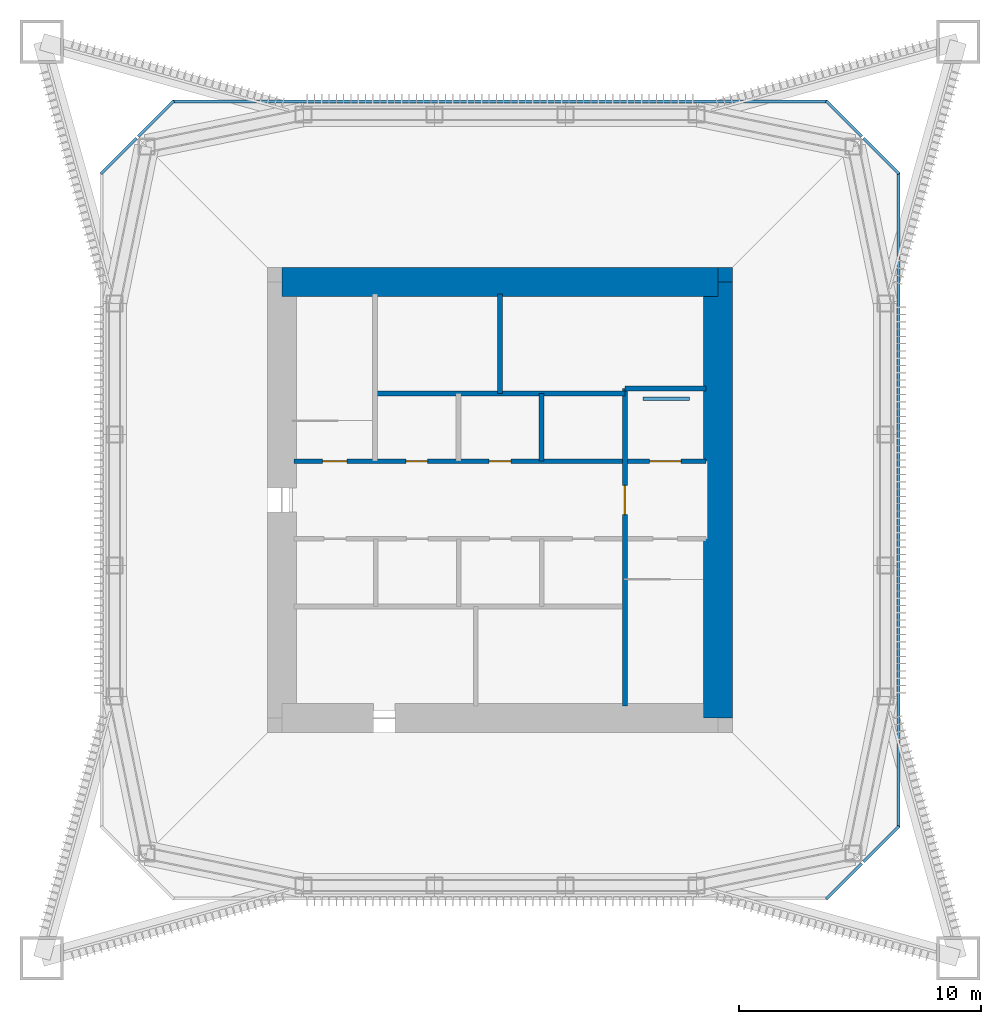
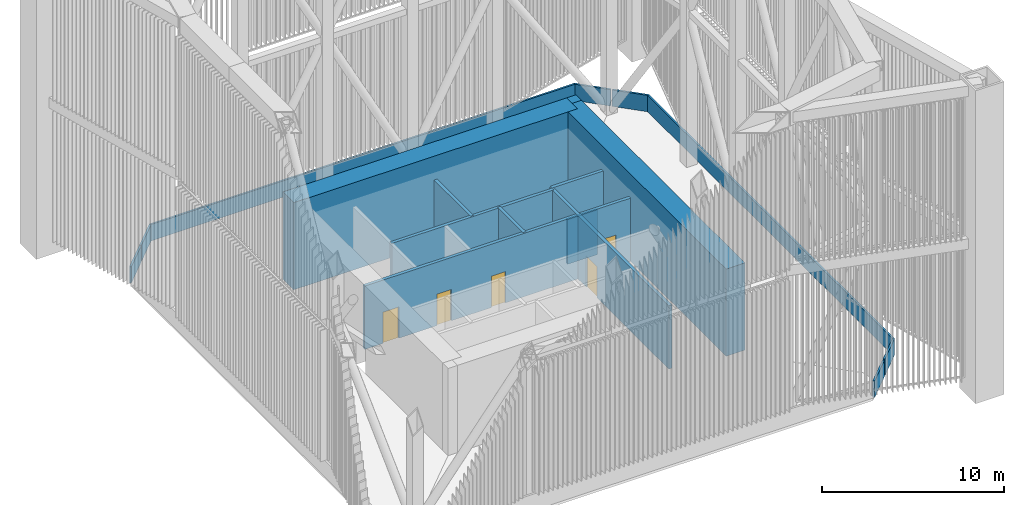
# One storey, part 3 of 13: 17 walls, 5 doors, 1 discrete accessory, 5 openings.
"""IFC4 building model written with IfcOpenShell, lengths in metres."""

from ifc_helpers import new_model, si_unit, direction, frame, frame_2d, origin, origin_2d, place, context, subcontext, project, spatial, rectangle, extrude, material, layer, layer_set, constituent, constituent_set, type_object, element, fill, save


model = new_model("IFC4")

# Units and contexts
model_context = context("Model", 3, precision=1e-05, world=origin(), true_north=direction((0.0, 1.0)))
body_context = subcontext(model_context, "Body", "Model", "MODEL_VIEW")
ifc_project = project(units=[si_unit("LENGTHUNIT", "METRE"), si_unit("AREAUNIT", "SQUARE_METRE"), si_unit("VOLUMEUNIT", "CUBIC_METRE"), si_unit("PLANEANGLEUNIT", "RADIAN"), si_unit("MASSUNIT", "GRAM", prefix="KILO")], contexts=[model_context])

# Site, building, storey
site_placement = place(None, origin())
site = spatial("IfcSite", under=ifc_project, at=site_placement, CompositionType="ELEMENT")
building_placement = place(site_placement, origin())
building = spatial("IfcBuilding", under=site, at=building_placement, Name="Iwan Alto Co-Living Towers", CompositionType="ELEMENT")
storey_placement = place(building_placement, frame((0.0, 0.0, 267.5)))
storey = spatial("IfcBuildingStorey", under=building, at=storey_placement, Name="RF", CompositionType="ELEMENT", Elevation=267.5)

# Walls
ifc_material_1 = material(Name="Concrete f'c 30 MPa", Category="concrete")
ifc_constituent_1 = constituent(ifc_material_1, Name="Upstand", Category="LoadBearing")
ifc_material_2 = material(Name="Aluminium 6063-T6 bronze anodised", Category="aluminium")
ifc_constituent_2 = constituent(ifc_material_2, Name="Coping", Category="Finish")
ifc_constituent_set = constituent_set(constituents=[ifc_constituent_1, ifc_constituent_2], Name="ROOF PARAPET 120")
wall_type_1 = type_object("IfcWallType", Name="ROOF PARAPET 120", PredefinedType="PARAPET", material=ifc_constituent_set)
for number, where, z_axis, x_axis, name in (
    (1, (13.45751953125, -16.45751953125, 0.0), (0.0, 0.0, 1.0), (0.707106781187, 0.707106781187, 0.0), "Roof parapet RF"),
    (2, (14.99072265625, -14.92431640625, 0.0), (0.0, 0.0, 1.0), (0.707106781187, 0.707106781187, 0.0), "Roof parapet RF"),
):
    element("IfcWall", number, at=place(storey_placement, frame(where, z_axis=z_axis, x_axis=x_axis)), inside=storey, type_object=wall_type_1, Name=name, PredefinedType="PARAPET", context=body_context, shape_type="SweptSolid", body=[
        extrude(rectangle(XDim=2.074462890625, YDim=0.1201171875, at=frame_2d((1.037109375, 0.0))), origin(), (0.0, 0.0, 1.0), 1.10009765625),
    ])
wall_1_placement = place(storey_placement, frame((16.43994140625, -13.5, 0.0), z_axis=(0.0, 0.0, 1.0), x_axis=(0.0, 1.0, 0.0)))
element("IfcWall", 3, at=wall_1_placement, inside=storey, type_object=wall_type_1, Name="Roof parapet RF", PredefinedType="PARAPET", context=body_context, shape_type="SweptSolid", body=[
    extrude(rectangle(XDim=27.0, YDim=0.1201171875, at=frame_2d((13.5, 0.0))), origin(), (0.0, 0.0, 1.0), 1.10009765625),
])
for number, where, z_axis, x_axis, name in (
    (4, (16.45751953125, 13.45751953125, 0.0), (0.0, 0.0, 1.0), (-0.707106781187, 0.707106781187, 0.0), "Roof parapet RF"),
    (5, (14.92431640625, 14.99072265625, 0.0), (0.0, 0.0, 1.0), (-0.707106781187, 0.707106781187, 0.0), "Roof parapet RF"),
):
    element("IfcWall", number, at=place(storey_placement, frame(where, z_axis=z_axis, x_axis=x_axis)), inside=storey, type_object=wall_type_1, Name=name, PredefinedType="PARAPET", context=body_context, shape_type="SweptSolid", body=[
        extrude(rectangle(XDim=2.074462890625, YDim=0.1201171875, at=frame_2d((1.037109375, 0.0))), origin(), (0.0, 0.0, 1.0), 1.10009765625),
    ])
wall_2_placement = place(storey_placement, frame((13.5, 16.43994140625, 0.0), z_axis=(0.0, 0.0, 1.0), x_axis=(-1.0, 0.0, 0.0)))
element("IfcWall", 6, at=wall_2_placement, inside=storey, type_object=wall_type_1, Name="Roof parapet RF", PredefinedType="PARAPET", context=body_context, shape_type="SweptSolid", body=[
    extrude(rectangle(XDim=27.0, YDim=0.1201171875, at=frame_2d((13.5, 0.0))), origin(), (0.0, 0.0, 1.0), 1.10009765625),
])
for number, where, z_axis, x_axis, name in (
    (7, (-13.45751953125, 16.45751953125, 0.0), (0.0, 0.0, 1.0), (-0.707106781187, -0.707106781187, 0.0), "Roof parapet RF"),
    (8, (-14.99072265625, 14.92431640625, 0.0), (0.0, 0.0, 1.0), (-0.707106781187, -0.707106781187, 0.0), "Roof parapet RF"),
):
    element("IfcWall", number, at=place(storey_placement, frame(where, z_axis=z_axis, x_axis=x_axis)), inside=storey, type_object=wall_type_1, Name=name, PredefinedType="PARAPET", context=body_context, shape_type="SweptSolid", body=[
        extrude(rectangle(XDim=2.074462890625, YDim=0.1201171875, at=frame_2d((1.037109375, 0.0))), origin(), (0.0, 0.0, 1.0), 1.10009765625),
    ])

# Wall, openings, doors
ifc_material_3 = material(Name="Concrete f'c 70 MPa", Category="concrete")
ifc_layer_1 = layer(ifc_material_3, 0.199951171875)
ifc_layer_set_1 = layer_set([ifc_layer_1], Name="SHAFT WALL 200")
wall_type_2 = type_object("IfcWallType", Name="SHAFT WALL 200", PredefinedType="SOLIDWALL", material=ifc_layer_set_1)
wall_3_placement = place(storey_placement, frame((-8.489990234375, 1.60009765625, 0.0), z_axis=(0.0, 0.0, 1.0), x_axis=(1.0, 0.0, 0.0)))
wall_3 = element("IfcWall", 9, at=wall_3_placement, inside=storey, type_object=wall_type_2, Name="Shaft wall RF", PredefinedType="SOLIDWALL", context=body_context, shape_type="SweptSolid", body=[
    extrude(rectangle(XDim=16.97998046875, YDim=0.199951171875, at=frame_2d((8.489990234375, 0.0))), origin(), (0.0, 0.0, 1.0), 4.25),
])
opening_1_placement = place(wall_3_placement, frame((1.169921875, 0.0, 0.0)))
opening_1 = element("IfcOpeningElement", 10, at=opening_1_placement, cuts=wall_3, Name="Opening D5", PredefinedType="OPENING", context=body_context, shape_type="SweptSolid", body=[
    extrude(rectangle(XDim=1.0, YDim=2.10009765625, at=frame_2d((0.5, 1.050048828125))), frame((0.0, 0.10986328125, 0.0), z_axis=(0.0, -1.0, 0.0), x_axis=(1.0, 0.0, 0.0)), (0.0, 0.0, 1.0), 0.219970703125),
])
opening_2_placement = place(wall_3_placement, frame((4.60595703125, 0.0, 0.0)))
opening_2 = element("IfcOpeningElement", 11, at=opening_2_placement, cuts=wall_3, Name="Opening D15", PredefinedType="OPENING", context=body_context, shape_type="SweptSolid", body=[
    extrude(rectangle(XDim=0.89990234375, YDim=2.10009765625, at=frame_2d((0.449951171875, 1.050048828125))), frame((0.0, 0.10986328125, 0.0), z_axis=(0.0, -1.0, 0.0), x_axis=(1.0, 0.0, 0.0)), (0.0, 0.0, 1.0), 0.219970703125),
])
opening_3_placement = place(wall_3_placement, frame((8.0400390625, 0.0, 0.0)))
opening_3 = element("IfcOpeningElement", 12, at=opening_3_placement, cuts=wall_3, Name="Opening D15", PredefinedType="OPENING", context=body_context, shape_type="SweptSolid", body=[
    extrude(rectangle(XDim=0.89990234375, YDim=2.10009765625, at=frame_2d((0.449951171875, 1.050048828125))), frame((0.0, 0.10986328125, 0.0), z_axis=(0.0, -1.0, 0.0), x_axis=(1.0, 0.0, 0.0)), (0.0, 0.0, 1.0), 0.219970703125),
])
opening_4_placement = place(wall_3_placement, frame((14.659912109375, 0.0, 0.0)))
opening_4 = element("IfcOpeningElement", 13, at=opening_4_placement, cuts=wall_3, Name="Opening LD2", PredefinedType="OPENING", context=body_context, shape_type="SweptSolid", body=[
    extrude(rectangle(XDim=1.300048828125, YDim=2.10009765625, at=frame_2d((0.64990234375, 1.050048828125))), frame((0.0, 0.10986328125, 0.0), z_axis=(0.0, -1.0, 0.0), x_axis=(1.0, 0.0, 0.0)), (0.0, 0.0, 1.0), 0.219970703125),
])
ifc_material_4 = material(Name="Steel frame with timber leaf", Category="steel")
door_type_1 = type_object("IfcDoorType", Name="CORE ROOM DOOR FD60S 900X2100", OperationType="SINGLE_SWING_LEFT", PredefinedType="DOOR", material=ifc_material_4)
door_1_placement = place(opening_2_placement, origin())
door_1 = element("IfcDoor", 14, at=door_1_placement, inside=storey, type_object=door_type_1, Name="Roof maintenance store door RF", OperationType="SINGLE_SWING_LEFT", OverallHeight=2.10009765625, OverallWidth=0.89990234375, PredefinedType="DOOR", context=body_context, shape_type="SweptSolid", body=[
    extrude(rectangle(XDim=0.89990234375, YDim=2.10009765625, at=frame_2d((0.449951171875, 1.050048828125))), frame((0.0, 0.02490234375, 0.0), z_axis=(0.0, -1.0, 0.0), x_axis=(1.0, 0.0, 0.0)), (0.0, 0.0, 1.0), 0.050048828125),
])
fill(opening_2, door_1)
door_2_placement = place(opening_3_placement, origin())
door_2 = element("IfcDoor", 15, at=door_2_placement, inside=storey, type_object=door_type_1, Name="Roof plant store door RF", OperationType="SINGLE_SWING_LEFT", OverallHeight=2.10009765625, OverallWidth=0.89990234375, PredefinedType="DOOR", context=body_context, shape_type="SweptSolid", body=[
    extrude(rectangle(XDim=0.89990234375, YDim=2.10009765625, at=frame_2d((0.449951171875, 1.050048828125))), frame((0.0, 0.02490234375, 0.0), z_axis=(0.0, -1.0, 0.0), x_axis=(1.0, 0.0, 0.0)), (0.0, 0.0, 1.0), 0.050048828125),
])
fill(opening_3, door_2)
ifc_material_5 = material(Name="Steel frame with timber leaf", Category="steel")
door_type_2 = type_object("IfcDoorType", Name="LIFT LANDING DOOR 1300X2100", OperationType="SLIDING_TO_LEFT", PredefinedType="DOOR", material=ifc_material_5)
door_3_placement = place(opening_4_placement, origin())
door_3 = element("IfcDoor", 16, at=door_3_placement, inside=storey, type_object=door_type_2, Name="Lift FL1 landing door RF", OperationType="SLIDING_TO_LEFT", OverallHeight=2.10009765625, OverallWidth=1.300048828125, PredefinedType="DOOR", context=body_context, shape_type="SweptSolid", body=[
    extrude(rectangle(XDim=1.300048828125, YDim=2.10009765625, at=frame_2d((0.64990234375, 1.050048828125))), frame((0.0, 0.02490234375, 0.0), z_axis=(0.0, -1.0, 0.0), x_axis=(1.0, 0.0, 0.0)), (0.0, 0.0, 1.0), 0.050048828125),
])
fill(opening_4, door_3)
ifc_material_6 = material(Name="Steel frame with timber leaf", Category="steel")
door_type_3 = type_object("IfcDoorType", Name="STAIR DOOR FD120S 1000X2100", OperationType="SINGLE_SWING_LEFT", PredefinedType="DOOR", material=ifc_material_6)
door_4_placement = place(opening_1_placement, origin())
door_4 = element("IfcDoor", 17, at=door_4_placement, inside=storey, type_object=door_type_3, Name="Stair S1 door RF", OperationType="SINGLE_SWING_RIGHT", OverallHeight=2.10009765625, OverallWidth=1.0, PredefinedType="DOOR", context=body_context, shape_type="SweptSolid", body=[
    extrude(rectangle(XDim=1.0, YDim=2.10009765625, at=frame_2d((0.5, 1.050048828125))), frame((0.0, 0.02490234375, 0.0), z_axis=(0.0, -1.0, 0.0), x_axis=(1.0, 0.0, 0.0)), (0.0, 0.0, 1.0), 0.050048828125),
])
fill(opening_1, door_4)

# Walls
wall_4_placement = place(storey_placement, frame((-5.14990234375, 4.39990234375, 0.0), z_axis=(0.0, 0.0, 1.0), x_axis=(1.0, 0.0, 0.0)))
element("IfcWall", 18, at=wall_4_placement, inside=storey, type_object=wall_type_2, Name="Shaft wall RF", PredefinedType="SOLIDWALL", context=body_context, shape_type="SweptSolid", body=[
    extrude(rectangle(XDim=10.2998046875, YDim=0.199951171875, at=frame_2d((5.14990234375, 0.0))), origin(), (0.0, 0.0, 1.0), 4.25),
])
wall_5_placement = place(storey_placement, frame((5.14990234375, 4.60009765625, 0.0), z_axis=(0.0, 0.0, 1.0), x_axis=(1.0, 0.0, 0.0)))
element("IfcWall", 19, at=wall_5_placement, inside=storey, type_object=wall_type_2, Name="Shaft wall RF", PredefinedType="SOLIDWALL", context=body_context, shape_type="SweptSolid", body=[
    extrude(rectangle(XDim=3.340087890625, YDim=0.199951171875, at=frame_2d((1.669921875, 0.0))), origin(), (0.0, 0.0, 1.0), 4.25),
])

# Wall, opening, door
wall_6_placement = place(storey_placement, frame((5.14990234375, -8.489990234375, 0.0), z_axis=(0.0, 0.0, 1.0), x_axis=(0.0, 1.0, 0.0)))
wall_6 = element("IfcWall", 20, at=wall_6_placement, inside=storey, type_object=wall_type_2, Name="Shaft wall RF", PredefinedType="SOLIDWALL", context=body_context, shape_type="SweptSolid", body=[
    extrude(rectangle(XDim=13.090087890625, YDim=0.199951171875, at=frame_2d((6.544921875, 0.0))), origin(), (0.0, 0.0, 1.0), 4.25),
])
opening_5_placement = place(wall_6_placement, frame((7.889892578125, 0.0, 0.0)))
opening_5 = element("IfcOpeningElement", 21, at=opening_5_placement, cuts=wall_6, Name="Opening D6", PredefinedType="OPENING", context=body_context, shape_type="SweptSolid", body=[
    extrude(rectangle(XDim=1.199951171875, YDim=2.10009765625, at=frame_2d((0.60009765625, 1.050048828125))), frame((0.0, 0.10986328125, 0.0), z_axis=(0.0, -1.0, 0.0), x_axis=(1.0, 0.0, 0.0)), (0.0, 0.0, 1.0), 0.219970703125),
])
ifc_material_7 = material(Name="Steel frame with timber leaf", Category="steel")
door_type_4 = type_object("IfcDoorType", Name="LOBBY DOOR FD120S 1200X2100", OperationType="SINGLE_SWING_LEFT", PredefinedType="DOOR", material=ifc_material_7)
door_5_placement = place(opening_5_placement, frame((1.199951171875, 0.0, 0.0), z_axis=(0.0, 0.0, 1.0), x_axis=(-1.0, 0.0, 0.0)))
door_5 = element("IfcDoor", 22, at=door_5_placement, inside=storey, type_object=door_type_4, Name="Firefighting lobby door RF", OperationType="SINGLE_SWING_RIGHT", OverallHeight=2.10009765625, OverallWidth=1.199951171875, PredefinedType="DOOR", context=body_context, shape_type="SweptSolid", body=[
    extrude(rectangle(XDim=1.199951171875, YDim=2.10009765625, at=frame_2d((0.60009765625, 1.050048828125))), frame((0.0, 0.02490234375, 0.0), z_axis=(0.0, -1.0, 0.0), x_axis=(1.0, 0.0, 0.0)), (0.0, 0.0, 1.0), 0.050048828125),
])
fill(opening_5, door_5)

# Walls
wall_7_placement = place(storey_placement, frame((1.717041015625, 1.60009765625, 0.0), z_axis=(0.0, 0.0, 1.0), x_axis=(0.0, 1.0, 0.0)))
element("IfcWall", 23, at=wall_7_placement, inside=storey, type_object=wall_type_2, Name="Shaft wall RF", PredefinedType="SOLIDWALL", context=body_context, shape_type="SweptSolid", body=[
    extrude(rectangle(XDim=2.7998046875, YDim=0.199951171875, at=frame_2d((1.39990234375, 0.0))), origin(), (0.0, 0.0, 1.0), 4.25),
])
wall_8_placement = place(storey_placement, frame((0.0, 4.39990234375, 0.0), z_axis=(0.0, 0.0, 1.0), x_axis=(0.0, 1.0, 0.0)))
element("IfcWall", 24, at=wall_8_placement, inside=storey, type_object=wall_type_2, Name="Shaft wall RF", PredefinedType="SOLIDWALL", context=body_context, shape_type="SweptSolid", body=[
    extrude(rectangle(XDim=4.090087890625, YDim=0.199951171875, at=frame_2d((2.044921875, 0.0))), origin(), (0.0, 0.0, 1.0), 4.25),
])
ifc_material_8 = material(Name="Concrete f'c 70 MPa", Category="concrete")
ifc_layer_2 = layer(ifc_material_8, 0.60009765625)
ifc_layer_set_2 = layer_set([ifc_layer_2], Name="T1 CORE CORNER FILL 600")
wall_type_3 = type_object("IfcWallType", Name="T1 CORE CORNER FILL 600", PredefinedType="SOLIDWALL", material=ifc_layer_set_2)
wall_9_placement = place(storey_placement, frame((9.0, 9.300048828125, 0.0), z_axis=(0.0, 0.0, 1.0), x_axis=(1.0, 0.0, 0.0)))
element("IfcWall", 25, at=wall_9_placement, inside=storey, type_object=wall_type_3, Name="T1 core corner NE RF", PredefinedType="SOLIDWALL", context=body_context, shape_type="SweptSolid", body=[
    extrude(rectangle(XDim=0.60009765625, YDim=0.60009765625, at=frame_2d((0.300048828125, 0.0))), origin(), (0.0, 0.0, 1.0), 5.85009765625),
])
ifc_material_9 = material(Name="Concrete f'c 70 MPa", Category="concrete")
ifc_layer_3 = layer(ifc_material_9, 1.199951171875)
ifc_layer_set_3 = layer_set([ifc_layer_3], Name="T1 CORE WALL 1200")
wall_type_4 = type_object("IfcWallType", Name="T1 CORE WALL 1200", PredefinedType="SHEAR", material=ifc_layer_set_3)
for number, where, z_axis, x_axis, name in (
    (26, (9.0, 9.0, 0.0), (0.0, 0.0, 1.0), (-1.0, 0.0, 0.0), "T1 core wall N RF"),
    (27, (9.0, -9.0, 0.0), (0.0, 0.0, 1.0), (0.0, 1.0, 0.0), "T1 core wall E RF"),
):
    element("IfcWall", number, at=place(storey_placement, frame(where, z_axis=z_axis, x_axis=x_axis)), inside=storey, type_object=wall_type_4, Name=name, PredefinedType="SHEAR", context=body_context, shape_type="SweptSolid", body=[
        extrude(rectangle(XDim=18.0, YDim=1.199951171875, at=frame_2d((9.0, 0.0))), origin(), (0.0, 0.0, 1.0), 5.85009765625),
    ])

# Discrete accessory
ifc_material_10 = material(Name="Steel ASTM A36", Category="steel")
placement_1 = place(building_placement, frame((0.0, 0.0, -7.199951171875)))
placement_2 = place(placement_1, frame((6.85009765625, 3.10009765625, 0.0), z_axis=(0.0, 0.0, 1.0), x_axis=(1.0, 0.0, 0.0)))
discrete_accessory_placement = place(placement_2, origin())
element("IfcDiscreteAccessory", 28, at=discrete_accessory_placement, inside=storey, material=ifc_material_10, Name="Lift FL1 counterweight", ObjectType="Lift counterweight", PredefinedType="USERDEFINED", context=body_context, shape_type="SweptSolid", body=[
    extrude(rectangle(XDim=1.92, YDim=0.15, at=origin_2d()), frame((0.0, 1.074951171875, 273.800048828125)), (0.0, 0.0, 1.0), 3.0),
])

save(model, "model.ifc")
